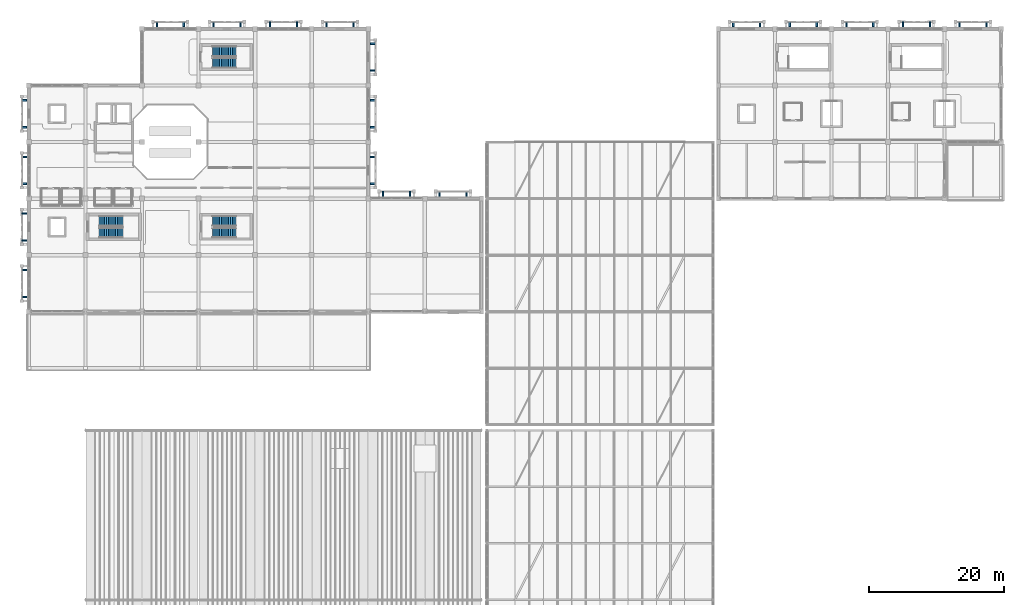
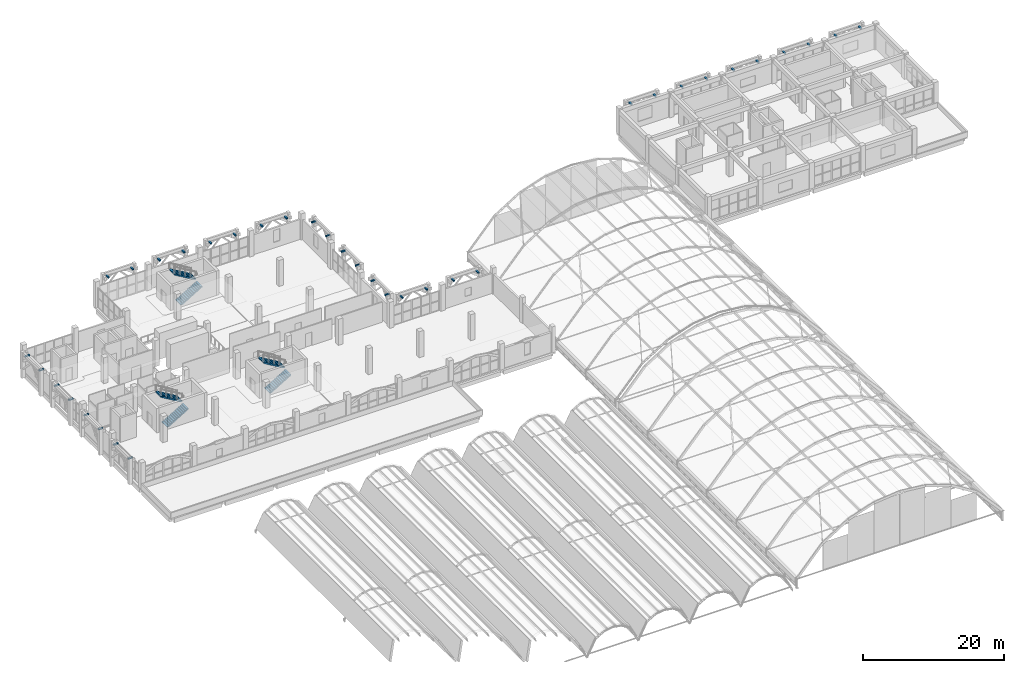
# One storey, part 108 of 114: 36 discrete accessories, 6 stair flights, 3 elements without a shape of their own.
"""IFC4 building model written with IfcOpenShell, lengths in metres."""

from ifc_helpers import new_model, si_unit, direction, frame, origin, origin_2d, place, context, subcontext, project, spatial, polyline, rectangle, outline, extrude, material, type_object, element, aggregate, save


model = new_model("IFC4")

# Units and contexts
model_context = context("Model", 3, precision=1e-05, world=origin(), true_north=direction((0.0, 1.0)))
body_context = subcontext(model_context, "Body", "Model", "MODEL_VIEW")
ifc_project = project(units=[si_unit("LENGTHUNIT", "METRE"), si_unit("AREAUNIT", "SQUARE_METRE"), si_unit("VOLUMEUNIT", "CUBIC_METRE"), si_unit("PLANEANGLEUNIT", "RADIAN"), si_unit("MASSUNIT", "GRAM", prefix="KILO")], contexts=[model_context])

# Site, building, storey
site_placement = place(None, origin())
site = spatial("IfcSite", under=ifc_project, at=site_placement, CompositionType="ELEMENT")
building_placement = place(site_placement, origin())
building = spatial("IfcBuilding", under=site, at=building_placement, Name="Xazarin Passage Department Store", CompositionType="ELEMENT")
storey_placement = place(building_placement, frame((0.0, 0.0, 14.39990234375)))
storey = spatial("IfcBuildingStorey", under=building, at=storey_placement, Name="L03", CompositionType="ELEMENT", Elevation=14.39990234375)

# Stair, stair flights
ifc_material_1 = material(Name="Concrete C35/45", Category="concrete")
stair_type = type_object("IfcStairType", Name="ARC-ST-TYP", PredefinedType="HALF_TURN_STAIR", material=ifc_material_1)
stair_1_placement = place(storey_placement, origin())
stair_1 = element("IfcStair", 1, at=stair_1_placement, inside=storey, type_object=stair_type, Name="L03 Exit Stair ST1", PredefinedType="HALF_TURN_STAIR")
stair_flight_type = type_object("IfcStairFlightType", Name="ARC-SFL-TYP", PredefinedType="STRAIGHT", material=ifc_material_1)
stair_flight_1_placement = place(storey_placement, frame((10.43994140625, 79.739990234375, 0.0), z_axis=(0.0, 0.0, 1.0), x_axis=(1.0, 0.0, 0.0)))
stair_flight_1 = element("IfcStairFlight", 2, at=stair_flight_1_placement, type_object=stair_flight_type, Name="ST1 flight 1", NumberOfRisers=14, NumberOfTreads=13, PredefinedType="STRAIGHT", RiserHeight=0.160714286, TreadLength=0.27, context=body_context, shape_type="SweptSolid", body=[
    extrude(outline(polyline([(0.0, 0.0), (0.0, 0.16064453125), (0.27001953125, 0.16064453125), (0.27001953125, 0.321533203125), (0.5400390625, 0.321533203125), (0.5400390625, 0.482177734375), (0.81005859375, 0.482177734375), (0.81005859375, 0.642822265625), (1.080078125, 0.642822265625), (1.080078125, 0.803466796875), (1.35009765625, 0.803466796875), (1.35009765625, 0.96435546875), (1.6201171875, 0.96435546875), (1.6201171875, 1.125), (1.889892578125, 1.125), (1.889892578125, 1.28564453125), (2.159912109375, 1.28564453125), (2.159912109375, 1.446533203125), (2.429931640625, 1.446533203125), (2.429931640625, 1.607177734375), (2.699951171875, 1.607177734375), (2.699951171875, 1.767822265625), (2.969970703125, 1.767822265625), (2.969970703125, 1.928466796875), (3.239990234375, 1.928466796875), (3.239990234375, 2.08935546875), (3.510009765625, 2.08935546875), (3.510009765625, 2.25), (3.510009765625, 1.903076171875), (0.312744140625, 0.0), (0.0, 0.0)])), frame((0.0, 0.760009765625, 0.0), z_axis=(0.0, -1.0, 0.0), x_axis=(1.0, 0.0, 0.0)), (0.0, 0.0, 1.0), 1.52001953125),
])
stair_flight_2_placement = place(storey_placement, frame((13.949951171875, 81.4599609375, 2.25), z_axis=(0.0, 0.0, 1.0), x_axis=(-1.0, 0.0, 0.0)))
stair_flight_2 = element("IfcStairFlight", 3, at=stair_flight_2_placement, type_object=stair_flight_type, Name="ST1 flight 2", NumberOfRisers=14, NumberOfTreads=13, PredefinedType="STRAIGHT", RiserHeight=0.160714286, TreadLength=0.27, context=body_context, shape_type="SweptSolid", body=[
    extrude(outline(polyline([(0.0, 0.0), (0.0, 0.16064453125), (0.27001953125, 0.16064453125), (0.27001953125, 0.321533203125), (0.5400390625, 0.321533203125), (0.5400390625, 0.482177734375), (0.81005859375, 0.482177734375), (0.81005859375, 0.642822265625), (1.080078125, 0.642822265625), (1.080078125, 0.803466796875), (1.35009765625, 0.803466796875), (1.35009765625, 0.96435546875), (1.6201171875, 0.96435546875), (1.6201171875, 1.125), (1.889892578125, 1.125), (1.889892578125, 1.28564453125), (2.159912109375, 1.28564453125), (2.159912109375, 1.446533203125), (2.429931640625, 1.446533203125), (2.429931640625, 1.607177734375), (2.699951171875, 1.607177734375), (2.699951171875, 1.767822265625), (2.969970703125, 1.767822265625), (2.969970703125, 1.928466796875), (3.239990234375, 1.928466796875), (3.239990234375, 2.08935546875), (3.510009765625, 2.08935546875), (3.510009765625, 2.25), (3.510009765625, 1.903076171875), (0.312744140625, 0.0), (0.0, 0.0)])), frame((0.0, 0.760009765625, 0.0), z_axis=(0.0, -1.0, 0.0), x_axis=(1.0, 0.0, 0.0)), (0.0, 0.0, 1.0), 1.52001953125),
])
aggregate(stair_1, [stair_flight_1, stair_flight_2])

stair_2_placement = place(storey_placement, origin())
stair_2 = element("IfcStair", 4, at=stair_2_placement, inside=storey, type_object=stair_type, Name="L03 Exit Stair ST2", PredefinedType="HALF_TURN_STAIR")
stair_flight_3_placement = place(storey_placement, frame((27.239990234375, 104.93994140625, 0.0), z_axis=(0.0, 0.0, 1.0), x_axis=(1.0, 0.0, 0.0)))
stair_flight_3 = element("IfcStairFlight", 5, at=stair_flight_3_placement, type_object=stair_flight_type, Name="ST2 flight 1", NumberOfRisers=14, NumberOfTreads=13, PredefinedType="STRAIGHT", RiserHeight=0.160714286, TreadLength=0.27, context=body_context, shape_type="SweptSolid", body=[
    extrude(outline(polyline([(0.0, 0.0), (0.0, 0.16064453125), (0.27001953125, 0.16064453125), (0.27001953125, 0.321533203125), (0.5400390625, 0.321533203125), (0.5400390625, 0.482177734375), (0.81005859375, 0.482177734375), (0.81005859375, 0.642822265625), (1.080078125, 0.642822265625), (1.080078125, 0.803466796875), (1.35009765625, 0.803466796875), (1.35009765625, 0.96435546875), (1.6201171875, 0.96435546875), (1.6201171875, 1.125), (1.889892578125, 1.125), (1.889892578125, 1.28564453125), (2.159912109375, 1.28564453125), (2.159912109375, 1.446533203125), (2.429931640625, 1.446533203125), (2.429931640625, 1.607177734375), (2.699951171875, 1.607177734375), (2.699951171875, 1.767822265625), (2.969970703125, 1.767822265625), (2.969970703125, 1.928466796875), (3.239990234375, 1.928466796875), (3.239990234375, 2.08935546875), (3.510009765625, 2.08935546875), (3.510009765625, 2.25), (3.510009765625, 1.903076171875), (0.312744140625, 0.0), (0.0, 0.0)])), frame((0.0, 0.760009765625, 0.0), z_axis=(0.0, -1.0, 0.0), x_axis=(1.0, 0.0, 0.0)), (0.0, 0.0, 1.0), 1.52001953125),
])
stair_flight_4_placement = place(storey_placement, frame((30.75, 106.659912109375, 2.25), z_axis=(0.0, 0.0, 1.0), x_axis=(-1.0, 0.0, 0.0)))
stair_flight_4 = element("IfcStairFlight", 6, at=stair_flight_4_placement, type_object=stair_flight_type, Name="ST2 flight 2", NumberOfRisers=14, NumberOfTreads=13, PredefinedType="STRAIGHT", RiserHeight=0.160714286, TreadLength=0.27, context=body_context, shape_type="SweptSolid", body=[
    extrude(outline(polyline([(0.0, 0.0), (0.0, 0.16064453125), (0.27001953125, 0.16064453125), (0.27001953125, 0.321533203125), (0.5400390625, 0.321533203125), (0.5400390625, 0.482177734375), (0.81005859375, 0.482177734375), (0.81005859375, 0.642822265625), (1.080078125, 0.642822265625), (1.080078125, 0.803466796875), (1.35009765625, 0.803466796875), (1.35009765625, 0.96435546875), (1.6201171875, 0.96435546875), (1.6201171875, 1.125), (1.889892578125, 1.125), (1.889892578125, 1.28564453125), (2.159912109375, 1.28564453125), (2.159912109375, 1.446533203125), (2.429931640625, 1.446533203125), (2.429931640625, 1.607177734375), (2.699951171875, 1.607177734375), (2.699951171875, 1.767822265625), (2.969970703125, 1.767822265625), (2.969970703125, 1.928466796875), (3.239990234375, 1.928466796875), (3.239990234375, 2.08935546875), (3.510009765625, 2.08935546875), (3.510009765625, 2.25), (3.510009765625, 1.903076171875), (0.312744140625, 0.0), (0.0, 0.0)])), frame((0.0, 0.760009765625, 0.0), z_axis=(0.0, -1.0, 0.0), x_axis=(1.0, 0.0, 0.0)), (0.0, 0.0, 1.0), 1.52001953125),
])
aggregate(stair_2, [stair_flight_3, stair_flight_4])

stair_3_placement = place(storey_placement, origin())
stair_3 = element("IfcStair", 7, at=stair_3_placement, inside=storey, type_object=stair_type, Name="L03 Exit Stair ST3", PredefinedType="HALF_TURN_STAIR")
stair_flight_5_placement = place(storey_placement, frame((27.239990234375, 79.739990234375, 0.0), z_axis=(0.0, 0.0, 1.0), x_axis=(1.0, 0.0, 0.0)))
stair_flight_5 = element("IfcStairFlight", 8, at=stair_flight_5_placement, type_object=stair_flight_type, Name="ST3 flight 1", NumberOfRisers=14, NumberOfTreads=13, PredefinedType="STRAIGHT", RiserHeight=0.160714286, TreadLength=0.27, context=body_context, shape_type="SweptSolid", body=[
    extrude(outline(polyline([(0.0, 0.0), (0.0, 0.16064453125), (0.27001953125, 0.16064453125), (0.27001953125, 0.321533203125), (0.5400390625, 0.321533203125), (0.5400390625, 0.482177734375), (0.81005859375, 0.482177734375), (0.81005859375, 0.642822265625), (1.080078125, 0.642822265625), (1.080078125, 0.803466796875), (1.35009765625, 0.803466796875), (1.35009765625, 0.96435546875), (1.6201171875, 0.96435546875), (1.6201171875, 1.125), (1.889892578125, 1.125), (1.889892578125, 1.28564453125), (2.159912109375, 1.28564453125), (2.159912109375, 1.446533203125), (2.429931640625, 1.446533203125), (2.429931640625, 1.607177734375), (2.699951171875, 1.607177734375), (2.699951171875, 1.767822265625), (2.969970703125, 1.767822265625), (2.969970703125, 1.928466796875), (3.239990234375, 1.928466796875), (3.239990234375, 2.08935546875), (3.510009765625, 2.08935546875), (3.510009765625, 2.25), (3.510009765625, 1.903076171875), (0.312744140625, 0.0), (0.0, 0.0)])), frame((0.0, 0.760009765625, 0.0), z_axis=(0.0, -1.0, 0.0), x_axis=(1.0, 0.0, 0.0)), (0.0, 0.0, 1.0), 1.52001953125),
])
stair_flight_6_placement = place(storey_placement, frame((30.75, 81.4599609375, 2.25), z_axis=(0.0, 0.0, 1.0), x_axis=(-1.0, 0.0, 0.0)))
stair_flight_6 = element("IfcStairFlight", 9, at=stair_flight_6_placement, type_object=stair_flight_type, Name="ST3 flight 2", NumberOfRisers=14, NumberOfTreads=13, PredefinedType="STRAIGHT", RiserHeight=0.160714286, TreadLength=0.27, context=body_context, shape_type="SweptSolid", body=[
    extrude(outline(polyline([(0.0, 0.0), (0.0, 0.16064453125), (0.27001953125, 0.16064453125), (0.27001953125, 0.321533203125), (0.5400390625, 0.321533203125), (0.5400390625, 0.482177734375), (0.81005859375, 0.482177734375), (0.81005859375, 0.642822265625), (1.080078125, 0.642822265625), (1.080078125, 0.803466796875), (1.35009765625, 0.803466796875), (1.35009765625, 0.96435546875), (1.6201171875, 0.96435546875), (1.6201171875, 1.125), (1.889892578125, 1.125), (1.889892578125, 1.28564453125), (2.159912109375, 1.28564453125), (2.159912109375, 1.446533203125), (2.429931640625, 1.446533203125), (2.429931640625, 1.607177734375), (2.699951171875, 1.607177734375), (2.699951171875, 1.767822265625), (2.969970703125, 1.767822265625), (2.969970703125, 1.928466796875), (3.239990234375, 1.928466796875), (3.239990234375, 2.08935546875), (3.510009765625, 2.08935546875), (3.510009765625, 2.25), (3.510009765625, 1.903076171875), (0.312744140625, 0.0), (0.0, 0.0)])), frame((0.0, 0.760009765625, 0.0), z_axis=(0.0, -1.0, 0.0), x_axis=(1.0, 0.0, 0.0)), (0.0, 0.0, 1.0), 1.52001953125),
])
aggregate(stair_3, [stair_flight_5, stair_flight_6])

# Discrete accessories
ifc_material_2 = material(Name="Steel S355", Category="steel")
discrete_accessory_type = type_object("IfcDiscreteAccessoryType", Name="ARC-BRK-S355-B", PredefinedType="BRACKET", material=ifc_material_2)
for number, where, z_axis, x_axis, name in (
    (10, (19.0, 110.699951171875, 3.84033203125), (0.0, 0.0, 1.0), (1.0, 0.0, 0.0), "L03 V1 Spandrel Tie Bracket 0007"),
    (11, (23.0, 110.699951171875, 3.84033203125), (0.0, 0.0, 1.0), (1.0, 0.0, 0.0), "L03 V1 Spandrel Tie Bracket 0008"),
    (12, (27.39990234375, 110.699951171875, 3.84033203125), (0.0, 0.0, 1.0), (1.0, 0.0, 0.0), "L03 V1 Spandrel Tie Bracket 0023"),
    (13, (31.39990234375, 110.699951171875, 3.84033203125), (0.0, 0.0, 1.0), (1.0, 0.0, 0.0), "L03 V1 Spandrel Tie Bracket 0024"),
    (14, (35.800048828125, 110.699951171875, 3.84033203125), (0.0, 0.0, 1.0), (1.0, 0.0, 0.0), "L03 V1 Spandrel Tie Bracket 0039"),
    (15, (39.800048828125, 110.699951171875, 3.84033203125), (0.0, 0.0, 1.0), (1.0, 0.0, 0.0), "L03 V1 Spandrel Tie Bracket 0040"),
    (16, (44.199951171875, 110.699951171875, 3.84033203125), (0.0, 0.0, 1.0), (1.0, 0.0, 0.0), "L03 V1 Spandrel Tie Bracket 0051"),
    (17, (48.199951171875, 110.699951171875, 3.84033203125), (0.0, 0.0, 1.0), (1.0, 0.0, 0.0), "L03 V1 Spandrel Tie Bracket 0052"),
    (18, (52.60009765625, 85.5, 3.84033203125), (0.0, 0.0, 1.0), (1.0, 0.0, 0.0), "L03 V1 Spandrel Tie Bracket 0059"),
    (19, (56.60009765625, 85.5, 3.84033203125), (0.0, 0.0, 1.0), (1.0, 0.0, 0.0), "L03 V1 Spandrel Tie Bracket 0060"),
    (20, (61.0, 85.5, 3.84033203125), (0.0, 0.0, 1.0), (1.0, 0.0, 0.0), "L03 V1 Spandrel Tie Bracket 0071"),
    (21, (65.0, 85.5, 3.84033203125), (0.0, 0.0, 1.0), (1.0, 0.0, 0.0), "L03 V1 Spandrel Tie Bracket 0072"),
    (22, (-0.699951171875, 70.199951171875, 3.84033203125), (0.0, 0.0, 1.0), (0.0, 1.0, 0.0), "L03 V1 Spandrel Tie Bracket 0089"),
    (23, (-0.699951171875, 74.199951171875, 3.84033203125), (0.0, 0.0, 1.0), (0.0, 1.0, 0.0), "L03 V1 Spandrel Tie Bracket 0090"),
    (24, (-0.699951171875, 78.60009765625, 3.84033203125), (0.0, 0.0, 1.0), (0.0, 1.0, 0.0), "L03 V1 Spandrel Tie Bracket 0099"),
    (25, (-0.699951171875, 82.60009765625, 3.84033203125), (0.0, 0.0, 1.0), (0.0, 1.0, 0.0), "L03 V1 Spandrel Tie Bracket 0100"),
    (26, (-0.699951171875, 87.0, 3.84033203125), (0.0, 0.0, 1.0), (0.0, 1.0, 0.0), "L03 V1 Spandrel Tie Bracket 0115"),
    (27, (-0.699951171875, 91.0, 3.84033203125), (0.0, 0.0, 1.0), (0.0, 1.0, 0.0), "L03 V1 Spandrel Tie Bracket 0116"),
    (28, (-0.699951171875, 95.39990234375, 3.84033203125), (0.0, 0.0, 1.0), (0.0, 1.0, 0.0), "L03 V1 Spandrel Tie Bracket 0131"),
    (29, (-0.699951171875, 99.39990234375, 3.84033203125), (0.0, 0.0, 1.0), (0.0, 1.0, 0.0), "L03 V1 Spandrel Tie Bracket 0132"),
    (30, (51.10009765625, 87.0, 3.84033203125), (0.0, 0.0, 1.0), (0.0, 1.0, 0.0), "L03 V1 Spandrel Tie Bracket 0147"),
    (31, (51.10009765625, 91.0, 3.84033203125), (0.0, 0.0, 1.0), (0.0, 1.0, 0.0), "L03 V1 Spandrel Tie Bracket 0148"),
    (32, (51.10009765625, 95.39990234375, 3.84033203125), (0.0, 0.0, 1.0), (0.0, 1.0, 0.0), "L03 V1 Spandrel Tie Bracket 0155"),
    (33, (51.10009765625, 99.39990234375, 3.84033203125), (0.0, 0.0, 1.0), (0.0, 1.0, 0.0), "L03 V1 Spandrel Tie Bracket 0156"),
    (34, (51.10009765625, 103.800048828125, 3.84033203125), (0.0, 0.0, 1.0), (0.0, 1.0, 0.0), "L03 V1 Spandrel Tie Bracket 0163"),
    (35, (51.10009765625, 107.800048828125, 3.84033203125), (0.0, 0.0, 1.0), (0.0, 1.0, 0.0), "L03 V1 Spandrel Tie Bracket 0164"),
    (36, (104.60009765625, 110.699951171875, 3.84033203125), (0.0, 0.0, 1.0), (1.0, 0.0, 0.0), "L03 V4 Spandrel Tie Bracket 0295"),
    (37, (108.60009765625, 110.699951171875, 3.84033203125), (0.0, 0.0, 1.0), (1.0, 0.0, 0.0), "L03 V4 Spandrel Tie Bracket 0296"),
    (38, (113.0, 110.699951171875, 3.84033203125), (0.0, 0.0, 1.0), (1.0, 0.0, 0.0), "L03 V4 Spandrel Tie Bracket 0303"),
    (39, (117.0, 110.699951171875, 3.84033203125), (0.0, 0.0, 1.0), (1.0, 0.0, 0.0), "L03 V4 Spandrel Tie Bracket 0304"),
    (40, (121.39990234375, 110.699951171875, 3.84033203125), (0.0, 0.0, 1.0), (1.0, 0.0, 0.0), "L03 V4 Spandrel Tie Bracket 0311"),
    (41, (125.39990234375, 110.699951171875, 3.84033203125), (0.0, 0.0, 1.0), (1.0, 0.0, 0.0), "L03 V4 Spandrel Tie Bracket 0312"),
    (42, (129.800048828125, 110.699951171875, 3.84033203125), (0.0, 0.0, 1.0), (1.0, 0.0, 0.0), "L03 V4 Spandrel Tie Bracket 0319"),
    (43, (133.800048828125, 110.699951171875, 3.84033203125), (0.0, 0.0, 1.0), (1.0, 0.0, 0.0), "L03 V4 Spandrel Tie Bracket 0320"),
    (44, (138.199951171875, 110.699951171875, 3.84033203125), (0.0, 0.0, 1.0), (1.0, 0.0, 0.0), "L03 V4 Spandrel Tie Bracket 0327"),
    (45, (142.199951171875, 110.699951171875, 3.84033203125), (0.0, 0.0, 1.0), (1.0, 0.0, 0.0), "L03 V4 Spandrel Tie Bracket 0328"),
):
    element("IfcDiscreteAccessory", number, at=place(storey_placement, frame(where, z_axis=z_axis, x_axis=x_axis)), inside=storey, type_object=discrete_accessory_type, Name=name, PredefinedType="BRACKET", context=body_context, shape_type="SweptSolid", body=[
        extrude(rectangle(XDim=0.239990234375, YDim=0.75, at=origin_2d()), origin(), (0.0, 0.0, 1.0), 0.219970703125),
    ])

save(model, "model.ifc")
